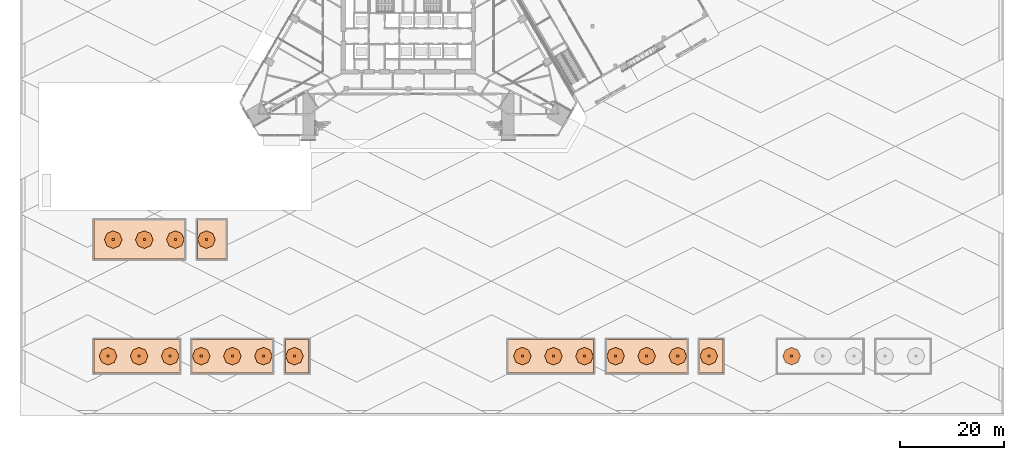
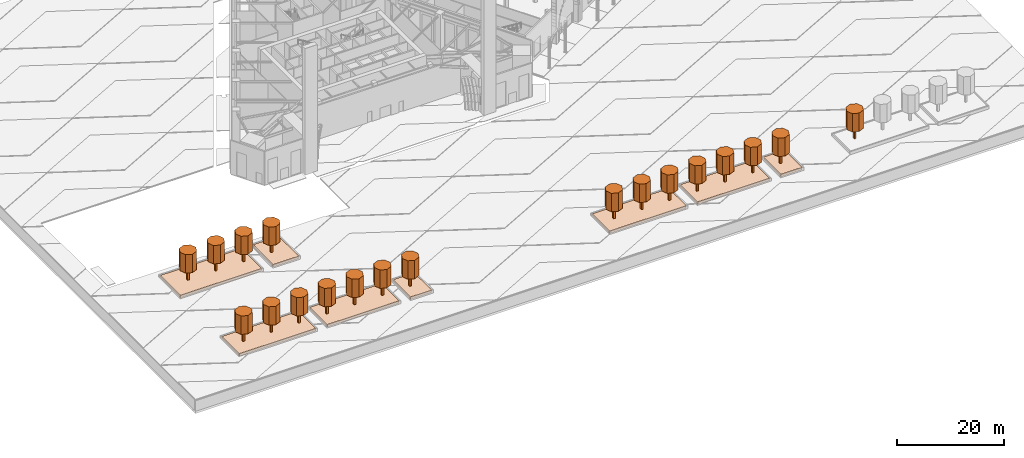
# One storey, part 33 of 34: 46 geographic elements.
"""IFC4 building model written with IfcOpenShell, lengths in metres."""

from ifc_helpers import new_model, si_unit, direction, frame, origin, origin_2d, place, context, subcontext, project, spatial, polyline, rectangle, outline, extrude, material, layer, layer_set, type_object, element, save


model = new_model("IFC4")

# Units and contexts
model_context = context("Model", 3, precision=1e-05, world=origin(), true_north=direction((0.0, 1.0)))
body_context = subcontext(model_context, "Body", "Model", "MODEL_VIEW")
ifc_project = project(units=[si_unit("LENGTHUNIT", "METRE"), si_unit("AREAUNIT", "SQUARE_METRE"), si_unit("VOLUMEUNIT", "CUBIC_METRE"), si_unit("PLANEANGLEUNIT", "RADIAN"), si_unit("MASSUNIT", "GRAM", prefix="KILO")], contexts=[model_context])

# Site, building, storey
site_placement = place(None, origin())
site = spatial("IfcSite", under=ifc_project, at=site_placement, CompositionType="ELEMENT")
building_placement = place(site_placement, origin())
building = spatial("IfcBuilding", under=site, at=building_placement, Name="Firuza Gate Tower and Library", CompositionType="ELEMENT")
storey_placement = place(building_placement, origin())
storey = spatial("IfcBuildingStorey", under=building, at=storey_placement, Name="L00", CompositionType="ELEMENT", Elevation=0.0)

# Geographic elements
ifc_material_1 = material(Name="Foliage")
geographic_element_type_1 = type_object("IfcGeographicElementType", Name="Planted tree canopy", PredefinedType="USERDEFINED", material=ifc_material_1)
placement_1 = place(storey_placement, frame((0.0, 0.0, 3.050048828125)))
element("IfcGeographicElement", 1, at=placement_1, inside=storey, type_object=geographic_element_type_1, Name="Tree canopy", ObjectType="TREE CANOPY", PredefinedType="USERDEFINED", context=body_context, shape_type="SweptSolid", body=[
    extrude(outline(polyline([(18.699951171875, 11.5), (18.2021484375, 12.7021484375), (17.0, 13.199951171875), (15.7978515625, 12.7021484375), (15.300048828125, 11.5), (15.7978515625, 10.2978515625), (17.0, 9.800048828125), (18.2021484375, 10.2978515625), (18.699951171875, 11.5)])), origin(), (0.0, 0.0, 1.0), 4.199951171875),
])
element("IfcGeographicElement", 2, at=placement_1, inside=storey, type_object=geographic_element_type_1, Name="Tree canopy", ObjectType="TREE CANOPY", PredefinedType="USERDEFINED", context=body_context, shape_type="SweptSolid", body=[
    extrude(outline(polyline([(24.699951171875, 11.5), (24.2021484375, 12.7021484375), (23.0, 13.199951171875), (21.7978515625, 12.7021484375), (21.300048828125, 11.5), (21.7978515625, 10.2978515625), (23.0, 9.800048828125), (24.2021484375, 10.2978515625), (24.699951171875, 11.5)])), origin(), (0.0, 0.0, 1.0), 4.199951171875),
])
element("IfcGeographicElement", 3, at=placement_1, inside=storey, type_object=geographic_element_type_1, Name="Tree canopy", ObjectType="TREE CANOPY", PredefinedType="USERDEFINED", context=body_context, shape_type="SweptSolid", body=[
    extrude(outline(polyline([(30.699951171875, 11.5), (30.2021484375, 12.7021484375), (29.0, 13.199951171875), (27.7978515625, 12.7021484375), (27.300048828125, 11.5), (27.7978515625, 10.2978515625), (29.0, 9.800048828125), (30.2021484375, 10.2978515625), (30.699951171875, 11.5)])), origin(), (0.0, 0.0, 1.0), 4.199951171875),
])
element("IfcGeographicElement", 4, at=placement_1, inside=storey, type_object=geographic_element_type_1, Name="Tree canopy", ObjectType="TREE CANOPY", PredefinedType="USERDEFINED", context=body_context, shape_type="SweptSolid", body=[
    extrude(outline(polyline([(36.699951171875, 11.5), (36.2021484375, 12.7021484375), (35.0, 13.199951171875), (33.7978515625, 12.7021484375), (33.300048828125, 11.5), (33.7978515625, 10.2978515625), (35.0, 9.800048828125), (36.2021484375, 10.2978515625), (36.699951171875, 11.5)])), origin(), (0.0, 0.0, 1.0), 4.199951171875),
])
element("IfcGeographicElement", 5, at=placement_1, inside=storey, type_object=geographic_element_type_1, Name="Tree canopy", ObjectType="TREE CANOPY", PredefinedType="USERDEFINED", context=body_context, shape_type="SweptSolid", body=[
    extrude(outline(polyline([(42.699951171875, 11.5), (42.2021484375, 12.7021484375), (41.0, 13.199951171875), (39.7978515625, 12.7021484375), (39.300048828125, 11.5), (39.7978515625, 10.2978515625), (41.0, 9.800048828125), (42.2021484375, 10.2978515625), (42.699951171875, 11.5)])), origin(), (0.0, 0.0, 1.0), 4.199951171875),
])
element("IfcGeographicElement", 6, at=placement_1, inside=storey, type_object=geographic_element_type_1, Name="Tree canopy", ObjectType="TREE CANOPY", PredefinedType="USERDEFINED", context=body_context, shape_type="SweptSolid", body=[
    extrude(outline(polyline([(48.699951171875, 11.5), (48.2021484375, 12.7021484375), (47.0, 13.199951171875), (45.7978515625, 12.7021484375), (45.300048828125, 11.5), (45.7978515625, 10.2978515625), (47.0, 9.800048828125), (48.2021484375, 10.2978515625), (48.699951171875, 11.5)])), origin(), (0.0, 0.0, 1.0), 4.199951171875),
])
element("IfcGeographicElement", 7, at=placement_1, inside=storey, type_object=geographic_element_type_1, Name="Tree canopy", ObjectType="TREE CANOPY", PredefinedType="USERDEFINED", context=body_context, shape_type="SweptSolid", body=[
    extrude(outline(polyline([(54.699951171875, 11.5), (54.2021484375, 12.7021484375), (53.0, 13.199951171875), (51.7978515625, 12.7021484375), (51.300048828125, 11.5), (51.7978515625, 10.2978515625), (53.0, 9.800048828125), (54.2021484375, 10.2978515625), (54.699951171875, 11.5)])), origin(), (0.0, 0.0, 1.0), 4.199951171875),
])
element("IfcGeographicElement", 8, at=placement_1, inside=storey, type_object=geographic_element_type_1, Name="Tree canopy", ObjectType="TREE CANOPY", PredefinedType="USERDEFINED", context=body_context, shape_type="SweptSolid", body=[
    extrude(outline(polyline([(98.699951171875, 11.5), (98.2021484375, 12.7021484375), (97.0, 13.199951171875), (95.7978515625, 12.7021484375), (95.300048828125, 11.5), (95.7978515625, 10.2978515625), (97.0, 9.800048828125), (98.2021484375, 10.2978515625), (98.699951171875, 11.5)])), origin(), (0.0, 0.0, 1.0), 4.199951171875),
])
element("IfcGeographicElement", 9, at=placement_1, inside=storey, type_object=geographic_element_type_1, Name="Tree canopy", ObjectType="TREE CANOPY", PredefinedType="USERDEFINED", context=body_context, shape_type="SweptSolid", body=[
    extrude(outline(polyline([(104.699951171875, 11.5), (104.2021484375, 12.7021484375), (103.0, 13.199951171875), (101.7978515625, 12.7021484375), (101.300048828125, 11.5), (101.7978515625, 10.2978515625), (103.0, 9.800048828125), (104.2021484375, 10.2978515625), (104.699951171875, 11.5)])), origin(), (0.0, 0.0, 1.0), 4.199951171875),
])
element("IfcGeographicElement", 10, at=placement_1, inside=storey, type_object=geographic_element_type_1, Name="Tree canopy", ObjectType="TREE CANOPY", PredefinedType="USERDEFINED", context=body_context, shape_type="SweptSolid", body=[
    extrude(outline(polyline([(110.699951171875, 11.5), (110.2021484375, 12.7021484375), (109.0, 13.199951171875), (107.7978515625, 12.7021484375), (107.300048828125, 11.5), (107.7978515625, 10.2978515625), (109.0, 9.800048828125), (110.2021484375, 10.2978515625), (110.699951171875, 11.5)])), origin(), (0.0, 0.0, 1.0), 4.199951171875),
])
element("IfcGeographicElement", 11, at=placement_1, inside=storey, type_object=geographic_element_type_1, Name="Tree canopy", ObjectType="TREE CANOPY", PredefinedType="USERDEFINED", context=body_context, shape_type="SweptSolid", body=[
    extrude(outline(polyline([(116.699951171875, 11.5), (116.2021484375, 12.7021484375), (115.0, 13.199951171875), (113.7978515625, 12.7021484375), (113.300048828125, 11.5), (113.7978515625, 10.2978515625), (115.0, 9.800048828125), (116.2021484375, 10.2978515625), (116.699951171875, 11.5)])), origin(), (0.0, 0.0, 1.0), 4.199951171875),
])
element("IfcGeographicElement", 12, at=placement_1, inside=storey, type_object=geographic_element_type_1, Name="Tree canopy", ObjectType="TREE CANOPY", PredefinedType="USERDEFINED", context=body_context, shape_type="SweptSolid", body=[
    extrude(outline(polyline([(122.699951171875, 11.5), (122.2021484375, 12.7021484375), (121.0, 13.199951171875), (119.7978515625, 12.7021484375), (119.300048828125, 11.5), (119.7978515625, 10.2978515625), (121.0, 9.800048828125), (122.2021484375, 10.2978515625), (122.699951171875, 11.5)])), origin(), (0.0, 0.0, 1.0), 4.199951171875),
])
element("IfcGeographicElement", 13, at=placement_1, inside=storey, type_object=geographic_element_type_1, Name="Tree canopy", ObjectType="TREE CANOPY", PredefinedType="USERDEFINED", context=body_context, shape_type="SweptSolid", body=[
    extrude(outline(polyline([(128.699951171875, 11.5), (128.2021484375, 12.7021484375), (127.0, 13.199951171875), (125.7978515625, 12.7021484375), (125.300048828125, 11.5), (125.7978515625, 10.2978515625), (127.0, 9.800048828125), (128.2021484375, 10.2978515625), (128.699951171875, 11.5)])), origin(), (0.0, 0.0, 1.0), 4.199951171875),
])
element("IfcGeographicElement", 14, at=placement_1, inside=storey, type_object=geographic_element_type_1, Name="Tree canopy", ObjectType="TREE CANOPY", PredefinedType="USERDEFINED", context=body_context, shape_type="SweptSolid", body=[
    extrude(outline(polyline([(134.699951171875, 11.5), (134.2021484375, 12.7021484375), (133.0, 13.199951171875), (131.7978515625, 12.7021484375), (131.300048828125, 11.5), (131.7978515625, 10.2978515625), (133.0, 9.800048828125), (134.2021484375, 10.2978515625), (134.699951171875, 11.5)])), origin(), (0.0, 0.0, 1.0), 4.199951171875),
])
element("IfcGeographicElement", 15, at=placement_1, inside=storey, type_object=geographic_element_type_1, Name="Tree canopy", ObjectType="TREE CANOPY", PredefinedType="USERDEFINED", context=body_context, shape_type="SweptSolid", body=[
    extrude(outline(polyline([(150.699951171875, 11.5), (150.2021484375, 12.7021484375), (149.0, 13.199951171875), (147.7978515625, 12.7021484375), (147.300048828125, 11.5), (147.7978515625, 10.2978515625), (149.0, 9.800048828125), (150.2021484375, 10.2978515625), (150.699951171875, 11.5)])), origin(), (0.0, 0.0, 1.0), 4.199951171875),
])
element("IfcGeographicElement", 16, at=placement_1, inside=storey, type_object=geographic_element_type_1, Name="Tree canopy", ObjectType="TREE CANOPY", PredefinedType="USERDEFINED", context=body_context, shape_type="SweptSolid", body=[
    extrude(outline(polyline([(19.699951171875, 34.0), (19.2021484375, 35.2021484375), (18.0, 35.699951171875), (16.7978515625, 35.2021484375), (16.300048828125, 34.0), (16.7978515625, 32.7978515625), (18.0, 32.300048828125), (19.2021484375, 32.7978515625), (19.699951171875, 34.0)])), origin(), (0.0, 0.0, 1.0), 4.199951171875),
])
element("IfcGeographicElement", 17, at=placement_1, inside=storey, type_object=geographic_element_type_1, Name="Tree canopy", ObjectType="TREE CANOPY", PredefinedType="USERDEFINED", context=body_context, shape_type="SweptSolid", body=[
    extrude(outline(polyline([(25.699951171875, 34.0), (25.2021484375, 35.2021484375), (24.0, 35.699951171875), (22.7978515625, 35.2021484375), (22.300048828125, 34.0), (22.7978515625, 32.7978515625), (24.0, 32.300048828125), (25.2021484375, 32.7978515625), (25.699951171875, 34.0)])), origin(), (0.0, 0.0, 1.0), 4.199951171875),
])
element("IfcGeographicElement", 18, at=placement_1, inside=storey, type_object=geographic_element_type_1, Name="Tree canopy", ObjectType="TREE CANOPY", PredefinedType="USERDEFINED", context=body_context, shape_type="SweptSolid", body=[
    extrude(outline(polyline([(31.699951171875, 34.0), (31.2021484375, 35.2021484375), (30.0, 35.699951171875), (28.7978515625, 35.2021484375), (28.300048828125, 34.0), (28.7978515625, 32.7978515625), (30.0, 32.300048828125), (31.2021484375, 32.7978515625), (31.699951171875, 34.0)])), origin(), (0.0, 0.0, 1.0), 4.199951171875),
])
element("IfcGeographicElement", 19, at=placement_1, inside=storey, type_object=geographic_element_type_1, Name="Tree canopy", ObjectType="TREE CANOPY", PredefinedType="USERDEFINED", context=body_context, shape_type="SweptSolid", body=[
    extrude(outline(polyline([(37.699951171875, 34.0), (37.2021484375, 35.2021484375), (36.0, 35.699951171875), (34.7978515625, 35.2021484375), (34.300048828125, 34.0), (34.7978515625, 32.7978515625), (36.0, 32.300048828125), (37.2021484375, 32.7978515625), (37.699951171875, 34.0)])), origin(), (0.0, 0.0, 1.0), 4.199951171875),
])
ifc_material_2 = material(Name="Timber", Category="wood")
geographic_element_type_2 = type_object("IfcGeographicElementType", Name="Planted tree trunk", PredefinedType="USERDEFINED", material=ifc_material_2)
for number, where, z_axis, x_axis, name in (
    (20, (17.0, 11.5, 0.449951171875), (0.0, 0.0, 1.0), (1.0, 0.0, 0.0), "Tree trunk"),
    (21, (23.0, 11.5, 0.449951171875), (0.0, 0.0, 1.0), (1.0, 0.0, 0.0), "Tree trunk"),
    (22, (29.0, 11.5, 0.449951171875), (0.0, 0.0, 1.0), (1.0, 0.0, 0.0), "Tree trunk"),
    (23, (35.0, 11.5, 0.449951171875), (0.0, 0.0, 1.0), (1.0, 0.0, 0.0), "Tree trunk"),
    (24, (41.0, 11.5, 0.449951171875), (0.0, 0.0, 1.0), (1.0, 0.0, 0.0), "Tree trunk"),
    (25, (47.0, 11.5, 0.449951171875), (0.0, 0.0, 1.0), (1.0, 0.0, 0.0), "Tree trunk"),
    (26, (53.0, 11.5, 0.449951171875), (0.0, 0.0, 1.0), (1.0, 0.0, 0.0), "Tree trunk"),
    (27, (97.0, 11.5, 0.449951171875), (0.0, 0.0, 1.0), (1.0, 0.0, 0.0), "Tree trunk"),
    (28, (103.0, 11.5, 0.449951171875), (0.0, 0.0, 1.0), (1.0, 0.0, 0.0), "Tree trunk"),
    (29, (109.0, 11.5, 0.449951171875), (0.0, 0.0, 1.0), (1.0, 0.0, 0.0), "Tree trunk"),
    (30, (115.0, 11.5, 0.449951171875), (0.0, 0.0, 1.0), (1.0, 0.0, 0.0), "Tree trunk"),
    (31, (121.0, 11.5, 0.449951171875), (0.0, 0.0, 1.0), (1.0, 0.0, 0.0), "Tree trunk"),
    (32, (127.0, 11.5, 0.449951171875), (0.0, 0.0, 1.0), (1.0, 0.0, 0.0), "Tree trunk"),
    (33, (133.0, 11.5, 0.449951171875), (0.0, 0.0, 1.0), (1.0, 0.0, 0.0), "Tree trunk"),
    (34, (149.0, 11.5, 0.449951171875), (0.0, 0.0, 1.0), (1.0, 0.0, 0.0), "Tree trunk"),
    (35, (18.0, 34.0, 0.449951171875), (0.0, 0.0, 1.0), (1.0, 0.0, 0.0), "Tree trunk"),
    (36, (24.0, 34.0, 0.449951171875), (0.0, 0.0, 1.0), (1.0, 0.0, 0.0), "Tree trunk"),
    (37, (30.0, 34.0, 0.449951171875), (0.0, 0.0, 1.0), (1.0, 0.0, 0.0), "Tree trunk"),
    (38, (36.0, 34.0, 0.449951171875), (0.0, 0.0, 1.0), (1.0, 0.0, 0.0), "Tree trunk"),
):
    element("IfcGeographicElement", number, at=place(storey_placement, frame(where, z_axis=z_axis, x_axis=x_axis)), inside=storey, type_object=geographic_element_type_2, Name=name, ObjectType="TREE TRUNK", PredefinedType="USERDEFINED", context=body_context, shape_type="SweptSolid", body=[
        extrude(rectangle(XDim=0.39990234375, YDim=0.39990234375, at=origin_2d()), origin(), (0.0, 0.0, 1.0), 2.60009765625),
    ])
ifc_material_3 = material(Name="Planting soil")
ifc_layer = layer(ifc_material_3, 0.60009765625)
ifc_layer_set = layer_set([ifc_layer], Name="Planting soil mass")
geographic_element_type_3 = type_object("IfcGeographicElementType", Name="Planting soil mass", PredefinedType="USERDEFINED", material=ifc_layer_set)
placement_2 = place(storey_placement, frame((0.0, 0.0, -0.14990234375)))
element("IfcGeographicElement", 39, at=placement_2, inside=storey, type_object=geographic_element_type_3, Name="Planting soil 1", ObjectType="PLANTING SOIL", PredefinedType="USERDEFINED", context=body_context, shape_type="SweptSolid", body=[
    extrude(outline(polyline([(14.25, 8.25), (30.75, 8.25), (30.75, 14.75), (14.25, 14.75), (14.25, 8.25)])), origin(), (0.0, 0.0, 1.0), 0.599853515625),
])
element("IfcGeographicElement", 40, at=placement_2, inside=storey, type_object=geographic_element_type_3, Name="Planting soil 2", ObjectType="PLANTING SOIL", PredefinedType="USERDEFINED", context=body_context, shape_type="SweptSolid", body=[
    extrude(outline(polyline([(33.25, 8.25), (48.75, 8.25), (48.75, 14.75), (33.25, 14.75), (33.25, 8.25)])), origin(), (0.0, 0.0, 1.0), 0.599853515625),
])
element("IfcGeographicElement", 41, at=placement_2, inside=storey, type_object=geographic_element_type_3, Name="Planting soil 3", ObjectType="PLANTING SOIL", PredefinedType="USERDEFINED", context=body_context, shape_type="SweptSolid", body=[
    extrude(outline(polyline([(51.25, 8.25), (55.75, 8.25), (55.75, 14.75), (51.25, 14.75), (51.25, 8.25)])), origin(), (0.0, 0.0, 1.0), 0.599853515625),
])
element("IfcGeographicElement", 42, at=placement_2, inside=storey, type_object=geographic_element_type_3, Name="Planting soil 4", ObjectType="PLANTING SOIL", PredefinedType="USERDEFINED", context=body_context, shape_type="SweptSolid", body=[
    extrude(outline(polyline([(94.25, 8.25), (110.75, 8.25), (110.75, 14.75), (94.25, 14.75), (94.25, 8.25)])), origin(), (0.0, 0.0, 1.0), 0.599853515625),
])
element("IfcGeographicElement", 43, at=placement_2, inside=storey, type_object=geographic_element_type_3, Name="Planting soil 5", ObjectType="PLANTING SOIL", PredefinedType="USERDEFINED", context=body_context, shape_type="SweptSolid", body=[
    extrude(outline(polyline([(113.25, 8.25), (128.75, 8.25), (128.75, 14.75), (113.25, 14.75), (113.25, 8.25)])), origin(), (0.0, 0.0, 1.0), 0.599853515625),
])
element("IfcGeographicElement", 44, at=placement_2, inside=storey, type_object=geographic_element_type_3, Name="Planting soil 6", ObjectType="PLANTING SOIL", PredefinedType="USERDEFINED", context=body_context, shape_type="SweptSolid", body=[
    extrude(outline(polyline([(131.25, 8.25), (135.75, 8.25), (135.75, 14.75), (131.25, 14.75), (131.25, 8.25)])), origin(), (0.0, 0.0, 1.0), 0.599853515625),
])
element("IfcGeographicElement", 45, at=placement_2, inside=storey, type_object=geographic_element_type_3, Name="Planting soil 9", ObjectType="PLANTING SOIL", PredefinedType="USERDEFINED", context=body_context, shape_type="SweptSolid", body=[
    extrude(outline(polyline([(14.25, 30.25), (31.75, 30.25), (31.75, 37.75), (14.25, 37.75), (14.25, 30.25)])), origin(), (0.0, 0.0, 1.0), 0.599853515625),
])
element("IfcGeographicElement", 46, at=placement_2, inside=storey, type_object=geographic_element_type_3, Name="Planting soil 10", ObjectType="PLANTING SOIL", PredefinedType="USERDEFINED", context=body_context, shape_type="SweptSolid", body=[
    extrude(outline(polyline([(34.25, 30.25), (39.75, 30.25), (39.75, 37.75), (34.25, 37.75), (34.25, 30.25)])), origin(), (0.0, 0.0, 1.0), 0.599853515625),
])

save(model, "model.ifc")
